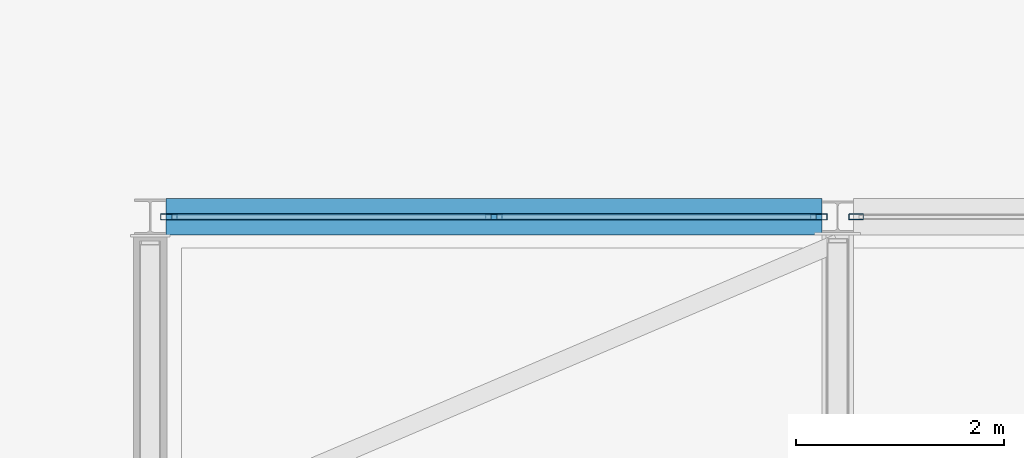
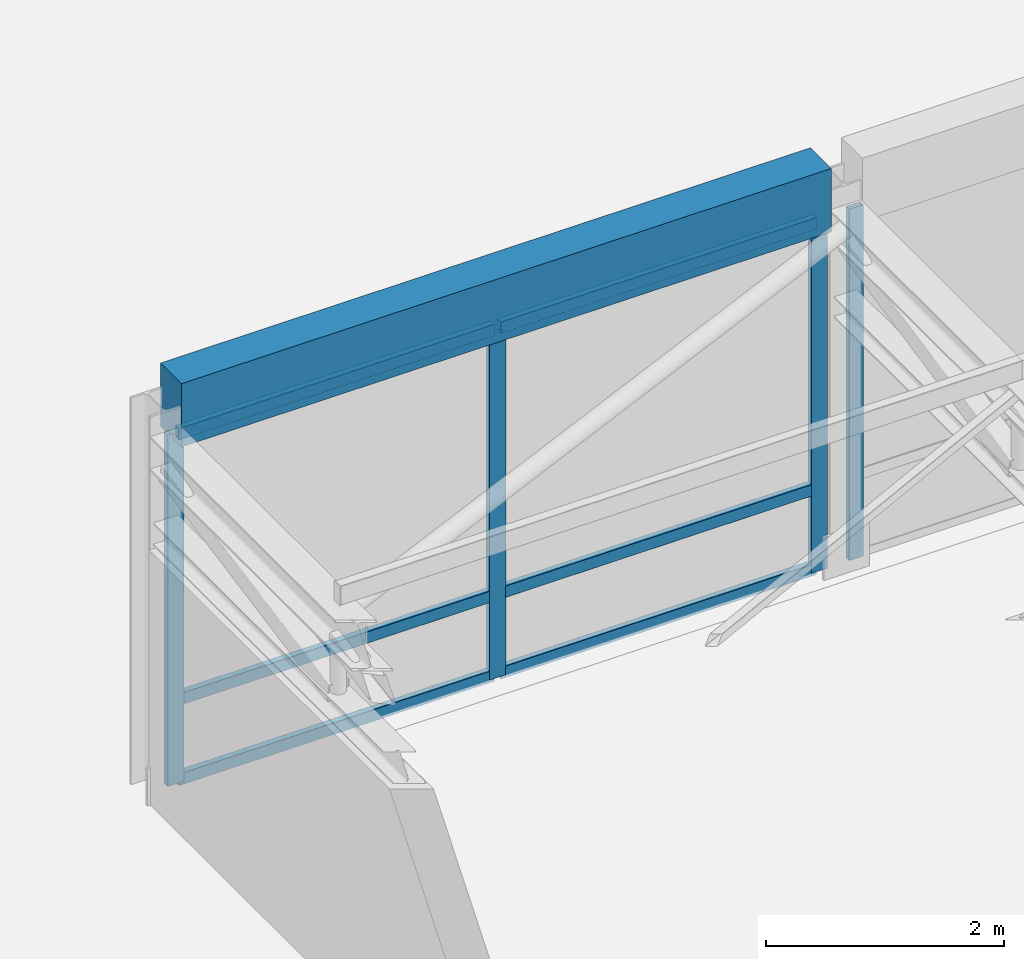
# One storey, part 19 of 92: 10 members, 1 beam, 2 elements without a shape of their own.
"""IFC4 building model written with IfcOpenShell, lengths in metres."""

from ifc_helpers import new_model, si_unit, direction, frame, origin, origin_2d, place, context, subcontext, project, spatial, rectangle, hollow_rectangle, extrude, material, material_profile, profile_set, type_object, element, aggregate, save


model = new_model("IFC4")

# Units and contexts
model_context = context("Model", 3, precision=1e-05, world=origin(), true_north=direction((0.0, 1.0)))
body_context = subcontext(model_context, "Body", "Model", "MODEL_VIEW")
ifc_project = project(units=[si_unit("LENGTHUNIT", "METRE"), si_unit("AREAUNIT", "SQUARE_METRE"), si_unit("VOLUMEUNIT", "CUBIC_METRE"), si_unit("PLANEANGLEUNIT", "RADIAN"), si_unit("MASSUNIT", "GRAM", prefix="KILO")], contexts=[model_context])

# Site, building, storey
site_placement = place(None, origin())
site = spatial("IfcSite", under=ifc_project, at=site_placement, CompositionType="ELEMENT")
building_placement = place(site_placement, origin())
building = spatial("IfcBuilding", under=site, at=building_placement, Name="Kernevlak Ridge Housing Community", CompositionType="ELEMENT")
storey_placement = place(building_placement, frame((0.0, 0.0, 4.199951171875)))
storey = spatial("IfcBuildingStorey", under=building, at=storey_placement, Name="L01", CompositionType="ELEMENT", Elevation=4.199951171875)

# Beam
ifc_material_1 = material(Name="Concrete C35/45", Category="concrete")
ifc_material_profile_1 = material_profile(ifc_material_1, rectangle(XDim=0.35009765625, YDim=0.64990234375, at=origin_2d()), Name="RC 350x650")
ifc_profile_set_1 = profile_set([ifc_material_profile_1], Name="Concrete C35/45")
beam_type = type_object("IfcBeamType", Name="B-02", PredefinedType="BEAM", material=ifc_profile_set_1)
beam_placement = place(storey_placement, frame((64.35009765625, 68.199951171875, 3.875), z_axis=(1.0, 0.0, 0.0), x_axis=(0.0, 1.0, 0.0)))
element("IfcBeam", 1, at=beam_placement, inside=storey, type_object=beam_type, Name="Beam B-02 L01 2413", PredefinedType="BEAM", context=body_context, shape_type="SweptSolid", body=[
    extrude(rectangle(XDim=0.35009765625, YDim=0.64990234375, at=origin_2d()), origin(), (0.0, 0.0, 1.0), 6.2998046875),
])

# Curtain wall, member
ifc_material_2 = material(Name="Aluminium EN AW-6060 anodised and laminated glass", Category="aluminium")
curtain_wall_type_1 = type_object("IfcCurtainWallType", Name="CW-11", PredefinedType="NOTDEFINED", material=ifc_material_2)
curtain_wall_1_placement = place(storey_placement, origin())
curtain_wall_1 = element("IfcCurtainWall", 2, at=curtain_wall_1_placement, inside=storey, type_object=curtain_wall_type_1, Name="Curtain wall CW-11 CW-L01-177", PredefinedType="NOTDEFINED")
ifc_material_3 = material(Name="Aluminium EN AW-6060 anodised", Category="aluminium")
ifc_material_profile_2 = material_profile(ifc_material_3, hollow_rectangle(XDim=0.054931640625, YDim=0.139892578125, WallThickness=0.00390625, InnerFilletRadius=0.001953125, OuterFilletRadius=0.00390625, at=origin_2d()), Name="ALU 55x140x4")
ifc_profile_set_2 = profile_set([ifc_material_profile_2], Name="Aluminium EN AW-6060 anodised")
member_type_1 = type_object("IfcMemberType", Name="MU-01", PredefinedType="MULLION", material=ifc_profile_set_2)
member_1_placement = place(storey_placement, frame((70.9775390625, 68.199951171875, 0.0), z_axis=(0.0, 0.0, 1.0), x_axis=(0.0, 1.0, 0.0)))
member_1 = element("IfcMember", 3, at=member_1_placement, type_object=member_type_1, Name="CW-11 mullion 1", PredefinedType="MULLION", context=body_context, shape_type="SweptSolid", body=[
    extrude(hollow_rectangle(XDim=0.054931640625, YDim=0.139892578125, WallThickness=0.00390625, InnerFilletRadius=0.001953125, OuterFilletRadius=0.00390625, at=origin_2d()), origin(), (0.0, 0.0, 1.0), 3.60009765625),
])
aggregate(curtain_wall_1, [member_1])

# Curtain wall, members
curtain_wall_type_2 = type_object("IfcCurtainWallType", Name="CW-10", PredefinedType="NOTDEFINED", material=ifc_material_2)
curtain_wall_2_placement = place(storey_placement, origin())
curtain_wall_2 = element("IfcCurtainWall", 4, at=curtain_wall_2_placement, inside=storey, type_object=curtain_wall_type_2, Name="Curtain wall CW-10 CW-L01-175", PredefinedType="NOTDEFINED")
ifc_material_profile_3 = material_profile(ifc_material_3, hollow_rectangle(XDim=0.06005859375, YDim=0.159912109375, WallThickness=0.00390625, InnerFilletRadius=0.001953125, OuterFilletRadius=0.00390625, at=origin_2d()), Name="ALU 60x160x4")
ifc_profile_set_3 = profile_set([ifc_material_profile_3], Name="Aluminium EN AW-6060 anodised")
member_type_2 = type_object("IfcMemberType", Name="MU-02", PredefinedType="MULLION", material=ifc_profile_set_3)
member_2_placement = place(storey_placement, frame((64.3798828125, 68.199951171875, 0.0), z_axis=(0.0, 0.0, 1.0), x_axis=(0.0, 1.0, 0.0)))
member_2 = element("IfcMember", 5, at=member_2_placement, type_object=member_type_2, Name="CW-10 mullion 1", PredefinedType="MULLION", context=body_context, shape_type="SweptSolid", body=[
    extrude(hollow_rectangle(XDim=0.06005859375, YDim=0.159912109375, WallThickness=0.00390625, InnerFilletRadius=0.001953125, OuterFilletRadius=0.00390625, at=origin_2d()), origin(), (0.0, 0.0, 1.0), 3.60009765625),
])
member_3_placement = place(storey_placement, frame((67.5, 68.199951171875, 0.0), z_axis=(0.0, 0.0, 1.0), x_axis=(0.0, 1.0, 0.0)))
member_3 = element("IfcMember", 6, at=member_3_placement, type_object=member_type_2, Name="CW-10 mullion 2", PredefinedType="MULLION", context=body_context, shape_type="SweptSolid", body=[
    extrude(hollow_rectangle(XDim=0.06005859375, YDim=0.159912109375, WallThickness=0.00390625, InnerFilletRadius=0.001953125, OuterFilletRadius=0.00390625, at=origin_2d()), origin(), (0.0, 0.0, 1.0), 3.60009765625),
])
member_4_placement = place(storey_placement, frame((70.6201171875, 68.199951171875, 0.0), z_axis=(0.0, 0.0, 1.0), x_axis=(0.0, 1.0, 0.0)))
member_4 = element("IfcMember", 7, at=member_4_placement, type_object=member_type_2, Name="CW-10 mullion 3", PredefinedType="MULLION", context=body_context, shape_type="SweptSolid", body=[
    extrude(hollow_rectangle(XDim=0.06005859375, YDim=0.159912109375, WallThickness=0.00390625, InnerFilletRadius=0.001953125, OuterFilletRadius=0.00390625, at=origin_2d()), origin(), (0.0, 0.0, 1.0), 3.60009765625),
])
ifc_material_profile_4 = material_profile(ifc_material_3, hollow_rectangle(XDim=0.06005859375, YDim=0.1201171875, WallThickness=0.00390625, InnerFilletRadius=0.001953125, OuterFilletRadius=0.00390625, at=origin_2d()), Name="ALU 60x120x4")
ifc_profile_set_4 = profile_set([ifc_material_profile_4], Name="Aluminium EN AW-6060 anodised")
member_type_3 = type_object("IfcMemberType", Name="TM-02", PredefinedType="USERDEFINED", material=ifc_profile_set_4)
member_5_placement = place(storey_placement, frame((64.409912109375, 68.199951171875, 0.030029296875), z_axis=(1.0, 0.0, 0.0), x_axis=(0.0, 1.0, 0.0)))
member_5 = element("IfcMember", 8, at=member_5_placement, type_object=member_type_3, Name="CW-10 transom 1.1", ObjectType="TRANSOM", PredefinedType="USERDEFINED", context=body_context, shape_type="SweptSolid", body=[
    extrude(hollow_rectangle(XDim=0.06005859375, YDim=0.1201171875, WallThickness=0.00390625, InnerFilletRadius=0.001953125, OuterFilletRadius=0.00390625, at=origin_2d()), origin(), (0.0, 0.0, 1.0), 3.06005859375),
])
member_6_placement = place(storey_placement, frame((64.409912109375, 68.199951171875, 0.85009765625), z_axis=(1.0, 0.0, 0.0), x_axis=(0.0, 1.0, 0.0)))
member_6 = element("IfcMember", 9, at=member_6_placement, type_object=member_type_3, Name="CW-10 transom 1.2", ObjectType="TRANSOM", PredefinedType="USERDEFINED", context=body_context, shape_type="SweptSolid", body=[
    extrude(hollow_rectangle(XDim=0.06005859375, YDim=0.1201171875, WallThickness=0.00390625, InnerFilletRadius=0.001953125, OuterFilletRadius=0.00390625, at=origin_2d()), origin(), (0.0, 0.0, 1.0), 3.06005859375),
])
member_7_placement = place(storey_placement, frame((64.409912109375, 68.199951171875, 3.570068359375), z_axis=(1.0, 0.0, 0.0), x_axis=(0.0, 1.0, 0.0)))
member_7 = element("IfcMember", 10, at=member_7_placement, type_object=member_type_3, Name="CW-10 transom 1.3", ObjectType="TRANSOM", PredefinedType="USERDEFINED", context=body_context, shape_type="SweptSolid", body=[
    extrude(hollow_rectangle(XDim=0.06005859375, YDim=0.1201171875, WallThickness=0.00390625, InnerFilletRadius=0.001953125, OuterFilletRadius=0.00390625, at=origin_2d()), origin(), (0.0, 0.0, 1.0), 3.06005859375),
])
member_8_placement = place(storey_placement, frame((67.530029296875, 68.199951171875, 0.030029296875), z_axis=(1.0, 0.0, 0.0), x_axis=(0.0, 1.0, 0.0)))
member_8 = element("IfcMember", 11, at=member_8_placement, type_object=member_type_3, Name="CW-10 transom 2.1", ObjectType="TRANSOM", PredefinedType="USERDEFINED", context=body_context, shape_type="SweptSolid", body=[
    extrude(hollow_rectangle(XDim=0.06005859375, YDim=0.1201171875, WallThickness=0.00390625, InnerFilletRadius=0.001953125, OuterFilletRadius=0.00390625, at=origin_2d()), origin(), (0.0, 0.0, 1.0), 3.06005859375),
])
member_9_placement = place(storey_placement, frame((67.530029296875, 68.199951171875, 0.85009765625), z_axis=(1.0, 0.0, 0.0), x_axis=(0.0, 1.0, 0.0)))
member_9 = element("IfcMember", 12, at=member_9_placement, type_object=member_type_3, Name="CW-10 transom 2.2", ObjectType="TRANSOM", PredefinedType="USERDEFINED", context=body_context, shape_type="SweptSolid", body=[
    extrude(hollow_rectangle(XDim=0.06005859375, YDim=0.1201171875, WallThickness=0.00390625, InnerFilletRadius=0.001953125, OuterFilletRadius=0.00390625, at=origin_2d()), origin(), (0.0, 0.0, 1.0), 3.06005859375),
])
member_10_placement = place(storey_placement, frame((67.530029296875, 68.199951171875, 3.570068359375), z_axis=(1.0, 0.0, 0.0), x_axis=(0.0, 1.0, 0.0)))
member_10 = element("IfcMember", 13, at=member_10_placement, type_object=member_type_3, Name="CW-10 transom 2.3", ObjectType="TRANSOM", PredefinedType="USERDEFINED", context=body_context, shape_type="SweptSolid", body=[
    extrude(hollow_rectangle(XDim=0.06005859375, YDim=0.1201171875, WallThickness=0.00390625, InnerFilletRadius=0.001953125, OuterFilletRadius=0.00390625, at=origin_2d()), origin(), (0.0, 0.0, 1.0), 3.06005859375),
])
aggregate(curtain_wall_2, [member_2, member_3, member_4, member_5, member_6, member_7, member_8, member_9, member_10])

save(model, "model.ifc")
